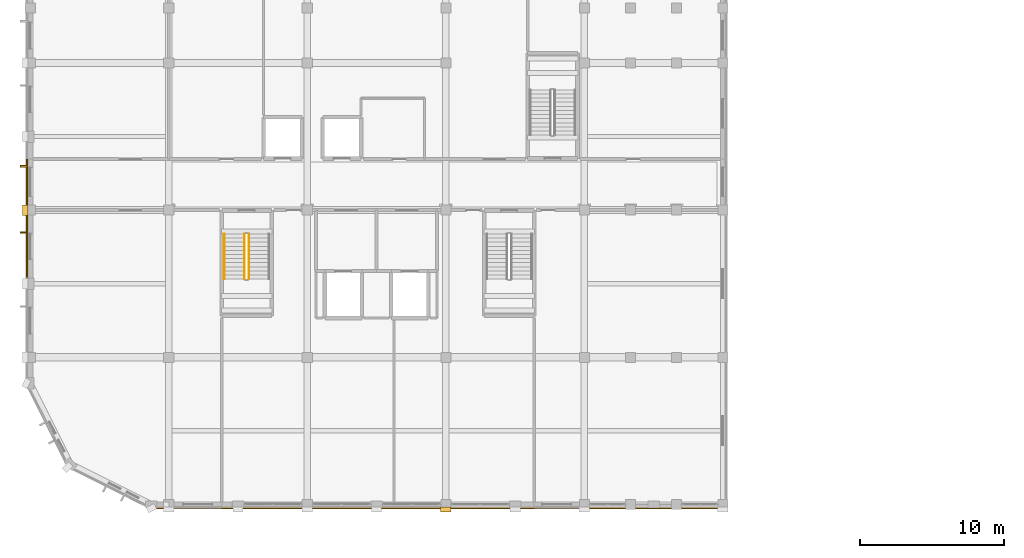
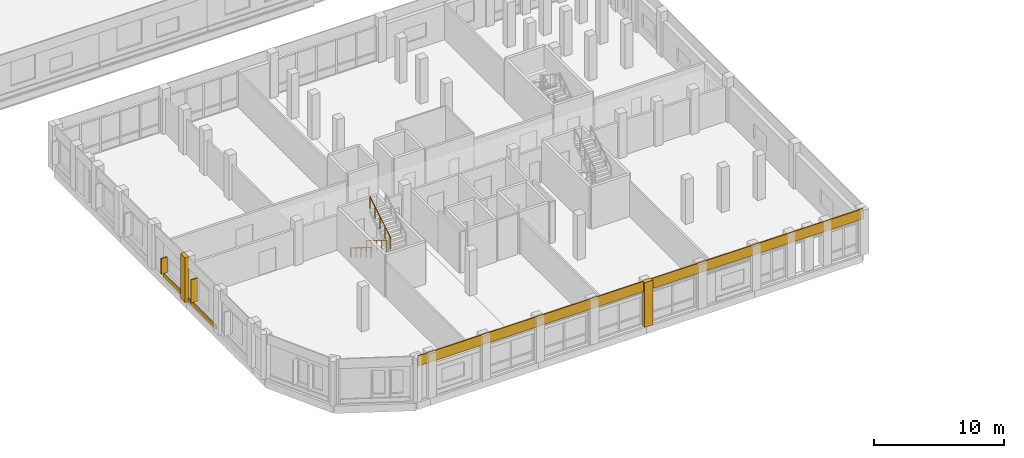
# One storey, part 170 of 185: 5 coverings, 3 railings, 2 shading devices.
"""IFC4 building model written with IfcOpenShell, lengths in metres."""

from ifc_helpers import new_model, si_unit, direction, frame, origin, origin_2d, place, context, subcontext, project, spatial, rectangle, circle, extrude, material, layer, layer_set, type_object, element, save


model = new_model("IFC4")

# Units and contexts
model_context = context("Model", 3, precision=1e-05, world=origin(), true_north=direction((0.0, 1.0)))
body_context = subcontext(model_context, "Body", "Model", "MODEL_VIEW")
ifc_project = project(units=[si_unit("LENGTHUNIT", "METRE"), si_unit("AREAUNIT", "SQUARE_METRE"), si_unit("VOLUMEUNIT", "CUBIC_METRE"), si_unit("PLANEANGLEUNIT", "RADIAN"), si_unit("MASSUNIT", "GRAM", prefix="KILO")], contexts=[model_context])

# Site, building, storey
site_placement = place(None, origin())
site = spatial("IfcSite", under=ifc_project, at=site_placement, CompositionType="ELEMENT")
building_placement = place(site_placement, origin())
building = spatial("IfcBuilding", under=site, at=building_placement, Name="Vondelvale Polytechnic", CompositionType="ELEMENT")
storey_placement = place(building_placement, frame((0.0, 0.0, 9.60009765625)))
storey = spatial("IfcBuildingStorey", under=building, at=storey_placement, Name="L02", CompositionType="ELEMENT", Elevation=9.60009765625)

# Coverings
ifc_material_1 = material(Name="Amsterdam School iron-spot clinker clay brickwork", Category="masonry")
ifc_layer_1 = layer(ifc_material_1, 0.090087890625)
ifc_layer_set_1 = layer_set([ifc_layer_1], Name="COV-BRICK-RELIEF")
covering_type = type_object("IfcCoveringType", Name="COV-BRICK-RELIEF", PredefinedType="CLADDING", material=ifc_layer_set_1)
covering_1_placement = place(storey_placement, frame((28.199951171875, -0.264892578125, 3.239990234375), z_axis=(0.0, 0.0, 1.0), x_axis=(1.0, 0.0, 0.0)))
element("IfcCovering", 1, at=covering_1_placement, inside=storey, type_object=covering_type, Name="L02 exterior masonry spandrel band", PredefinedType="CLADDING", context=body_context, shape_type="SweptSolid", body=[
    extrude(rectangle(XDim=39.60009765625, YDim=0.090087890625, at=origin_2d()), origin(), (0.0, 0.0, 1.0), 0.9599609375),
])
covering_2_placement = place(storey_placement, frame((-0.216064453125, 17.875, 0.0), z_axis=(0.0, 0.0, 1.0), x_axis=(0.0, 1.0, 0.0)))
element("IfcCovering", 2, at=covering_2_placement, inside=storey, type_object=covering_type, Name="L02 exterior corbelled masonry relief band", PredefinedType="CLADDING", context=body_context, shape_type="SweptSolid", body=[
    extrude(rectangle(XDim=4.2880859375, YDim=0.090087890625, at=origin_2d()), origin(), (0.0, 0.0, 1.0), 0.3798828125),
])
covering_3_placement = place(storey_placement, frame((-0.216064453125, 22.3505859375, 0.0), z_axis=(0.0, 0.0, 1.0), x_axis=(0.0, 1.0, 0.0)))
element("IfcCovering", 3, at=covering_3_placement, inside=storey, type_object=covering_type, Name="L02 exterior corbelled masonry relief band", PredefinedType="CLADDING", context=body_context, shape_type="SweptSolid", body=[
    extrude(rectangle(XDim=3.138916015625, YDim=0.090087890625, at=origin_2d()), origin(), (0.0, 0.0, 1.0), 0.3798828125),
])
covering_4_placement = place(storey_placement, frame((28.800048828125, -0.340087890625, 0.0), z_axis=(0.0, 0.0, 1.0), x_axis=(1.0, 0.0, 0.0)))
element("IfcCovering", 4, at=covering_4_placement, inside=storey, type_object=covering_type, Name="L02 Classical street pilaster", PredefinedType="CLADDING", context=body_context, shape_type="SweptSolid", body=[
    extrude(rectangle(XDim=0.719970703125, YDim=0.360107421875, at=origin_2d()), origin(), (0.0, 0.0, 1.0), 4.199951171875),
])
covering_5_placement = place(storey_placement, frame((-0.340087890625, 20.39990234375, 0.0), z_axis=(0.0, 0.0, 1.0), x_axis=(1.0, 0.0, 0.0)))
element("IfcCovering", 5, at=covering_5_placement, inside=storey, type_object=covering_type, Name="L02 Classical street pilaster", PredefinedType="CLADDING", context=body_context, shape_type="SweptSolid", body=[
    extrude(rectangle(XDim=0.360107421875, YDim=0.719970703125, at=origin_2d()), origin(), (0.0, 0.0, 1.0), 4.199951171875),
])

# Railings
ifc_material_2 = material(Name="Brushed architectural stainless and zinc-coated metal")
ifc_layer_2 = layer(ifc_material_2, 0.050048828125)
ifc_layer_set_2 = layer_set([ifc_layer_2], Name="RL-STAIR-GUARD")
railing_type_1 = type_object("IfcRailingType", Name="RL-STAIR-GUARD", PredefinedType="GUARDRAIL", material=ifc_layer_set_2)
railing_1_placement = place(storey_placement, frame((14.85009765625, 18.75, 0.1748046875)))
element("IfcRailing", 6, at=railing_1_placement, inside=storey, type_object=railing_type_1, Name="L02 ST-03 stair guard 1", PredefinedType="GUARDRAIL", context=body_context, shape_type="SweptSolid", body=[
    extrude(circle(Radius=0.02392578125, at=origin_2d()), frame((0.0, 0.0, 1.076171875), z_axis=(0.0, -0.852166034122, 0.523271488128), x_axis=(1.0, 0.0, 0.0)), (0.0, 0.0, 1.0), 3.678955078125),
    extrude(circle(Radius=0.02099609375, at=origin_2d()), origin(), (0.0, 0.0, 1.0), 1.052001953125),
    extrude(circle(Radius=0.02099609375, at=origin_2d()), frame((0.0, -0.78369140625, 0.481201171875)), (0.0, 0.0, 1.0), 1.052001953125),
    extrude(circle(Radius=0.02099609375, at=origin_2d()), frame((0.0, -1.5673828125, 0.96240234375)), (0.0, 0.0, 1.0), 1.052001953125),
    extrude(circle(Radius=0.02099609375, at=origin_2d()), frame((0.0, -2.351318359375, 1.44384765625)), (0.0, 0.0, 1.0), 1.052001953125),
    extrude(circle(Radius=0.02099609375, at=origin_2d()), frame((0.0, -3.135009765625, 1.925048828125)), (0.0, 0.0, 1.0), 1.052001953125),
])
railing_2_placement = place(storey_placement, frame((15.14990234375, 15.614990234375, 2.27490234375)))
element("IfcRailing", 7, at=railing_2_placement, inside=storey, type_object=railing_type_1, Name="L02 ST-03 stair guard 3", PredefinedType="GUARDRAIL", context=body_context, shape_type="SweptSolid", body=[
    extrude(circle(Radius=0.02392578125, at=origin_2d()), frame((0.0, 0.0, 1.076171875), z_axis=(0.0, 0.852166034122, 0.523271488128), x_axis=(-1.0, 0.0, 0.0)), (0.0, 0.0, 1.0), 3.678955078125),
    extrude(circle(Radius=0.02099609375, at=origin_2d()), origin(), (0.0, 0.0, 1.0), 1.052001953125),
    extrude(circle(Radius=0.02099609375, at=origin_2d()), frame((0.0, 0.78369140625, 0.481201171875)), (0.0, 0.0, 1.0), 1.052001953125),
    extrude(circle(Radius=0.02099609375, at=origin_2d()), frame((0.0, 1.5673828125, 0.96240234375)), (0.0, 0.0, 1.0), 1.052001953125),
    extrude(circle(Radius=0.02099609375, at=origin_2d()), frame((0.0, 2.351318359375, 1.44384765625)), (0.0, 0.0, 1.0), 1.052001953125),
    extrude(circle(Radius=0.02099609375, at=origin_2d()), frame((0.0, 3.135009765625, 1.925048828125)), (0.0, 0.0, 1.0), 1.052001953125),
])
ifc_layer_3 = layer(ifc_material_2, 0.048095703125)
ifc_layer_set_3 = layer_set([ifc_layer_3], Name="RL-STAIR-HANDRAIL")
railing_type_2 = type_object("IfcRailingType", Name="RL-STAIR-HANDRAIL", PredefinedType="HANDRAIL", material=ifc_layer_set_3)
railing_3_placement = place(storey_placement, frame((13.449951171875, 18.75, 0.1748046875)))
element("IfcRailing", 8, at=railing_3_placement, inside=storey, type_object=railing_type_2, Name="L02 ST-03 stair handrail 1", PredefinedType="HANDRAIL", context=body_context, shape_type="SweptSolid", body=[
    extrude(circle(Radius=0.02392578125, at=origin_2d()), frame((0.0, 0.0, 0.8759765625), z_axis=(0.0, -0.852166034122, 0.523271488128), x_axis=(1.0, 0.0, 0.0)), (0.0, 0.0, 1.0), 3.678955078125),
    extrude(circle(Radius=0.02099609375, at=origin_2d()), origin(), (0.0, 0.0, 1.0), 0.851806640625),
    extrude(circle(Radius=0.02099609375, at=origin_2d()), frame((0.0, -0.78369140625, 0.481201171875)), (0.0, 0.0, 1.0), 0.851806640625),
    extrude(circle(Radius=0.02099609375, at=origin_2d()), frame((0.0, -1.5673828125, 0.96240234375)), (0.0, 0.0, 1.0), 0.851806640625),
    extrude(circle(Radius=0.02099609375, at=origin_2d()), frame((0.0, -2.351318359375, 1.44384765625)), (0.0, 0.0, 1.0), 0.851806640625),
    extrude(circle(Radius=0.02099609375, at=origin_2d()), frame((0.0, -3.135009765625, 1.925048828125)), (0.0, 0.0, 1.0), 0.851806640625),
])

# Shading devices
ifc_material_3 = material(Name="Kiln-fired architectural terracotta", Category="masonry")
shading_device_type = type_object("IfcShadingDeviceType", Name="SHD-TERRA-FIN-550", PredefinedType="JALOUSIE", material=ifc_material_3)
shading_device_1_placement = place(storey_placement, frame((-0.43505859375, 18.840087890625, 0.7900390625), z_axis=(0.0, 0.0, 1.0), x_axis=(0.0, 1.0, 0.0)))
element("IfcShadingDevice", 9, at=shading_device_1_placement, inside=storey, type_object=shading_device_type, Name="L02 vertical terracotta solar fin", PredefinedType="JALOUSIE", context=body_context, shape_type="SweptSolid", body=[
    extrude(rectangle(XDim=0.110107421875, YDim=0.550048828125, at=origin_2d()), origin(), (0.0, 0.0, 1.0), 2.169921875),
])
shading_device_2_placement = place(storey_placement, frame((-0.43505859375, 23.4404296875, 0.68994140625), z_axis=(0.0, 0.0, 1.0), x_axis=(0.0, 1.0, 0.0)))
element("IfcShadingDevice", 10, at=shading_device_2_placement, inside=storey, type_object=shading_device_type, Name="L02 vertical terracotta solar fin", PredefinedType="JALOUSIE", context=body_context, shape_type="SweptSolid", body=[
    extrude(rectangle(XDim=0.110107421875, YDim=0.550048828125, at=origin_2d()), origin(), (0.0, 0.0, 1.0), 1.469970703125),
])

save(model, "model.ifc")
